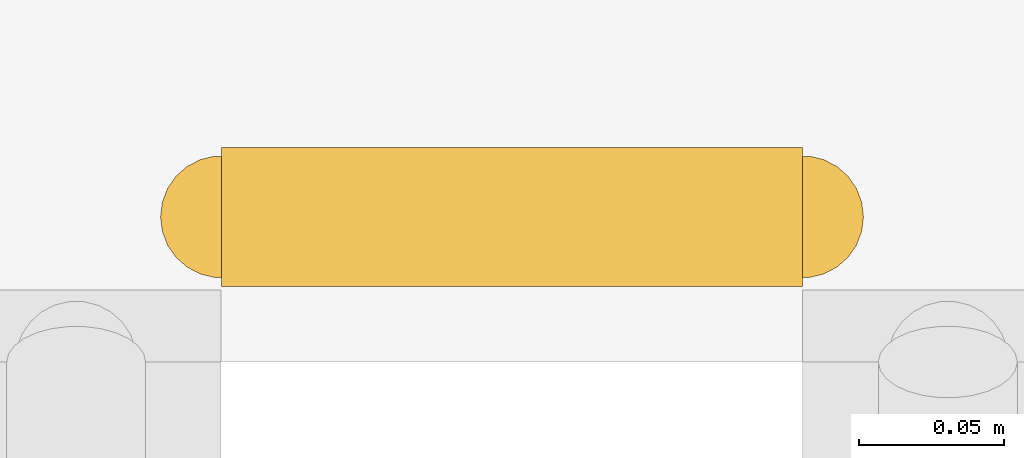
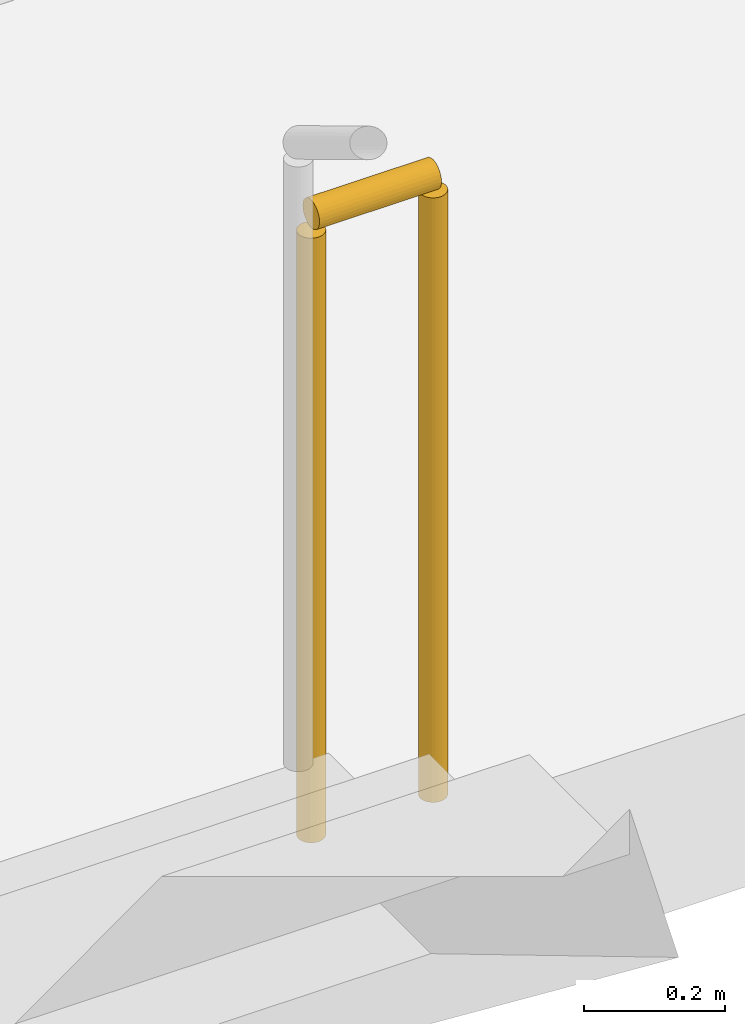
# One storey, part 82 of 100: 1 railing.
"""IFC4 building model written with IfcOpenShell, lengths in metres."""

from ifc_helpers import new_model, si_unit, direction, frame, origin, origin_2d, place, context, subcontext, project, spatial, circle, extrude, material, type_object, element, save


model = new_model("IFC4")

# Units and contexts
model_context = context("Model", 3, precision=1e-05, world=origin(), true_north=direction((0.0, 1.0)))
body_context = subcontext(model_context, "Body", "Model", "MODEL_VIEW")
ifc_project = project(units=[si_unit("LENGTHUNIT", "METRE"), si_unit("AREAUNIT", "SQUARE_METRE"), si_unit("VOLUMEUNIT", "CUBIC_METRE"), si_unit("PLANEANGLEUNIT", "RADIAN"), si_unit("MASSUNIT", "GRAM", prefix="KILO")], contexts=[model_context])

# Site, building, storey
site_placement = place(None, origin())
site = spatial("IfcSite", under=ifc_project, at=site_placement, CompositionType="ELEMENT")
building_placement = place(site_placement, origin())
building = spatial("IfcBuilding", under=site, at=building_placement, Name="Caelomonte Colonnade Arena", CompositionType="ELEMENT")
storey_placement = place(building_placement, origin())
storey = spatial("IfcBuildingStorey", under=building, at=storey_placement, Name="L00", CompositionType="ELEMENT", Elevation=0.0)

# Railing
ifc_material = material(Name="Painted galvanized steel stair guard", Category="steel")
railing_type = type_object("IfcRailingType", Name="INT-RL-GRD", PredefinedType="GUARDRAIL", material=ifc_material)
railing_placement = place(storey_placement, frame((62.050048828125, 64.550048828125, 0.0)))
element("IfcRailing", 1, at=railing_placement, inside=storey, type_object=railing_type, Name="L00 ST-09 stair guard 4", PredefinedType="GUARDRAIL", context=body_context, shape_type="SweptSolid", body=[
    extrude(circle(Radius=0.02392578125, at=origin_2d()), frame((0.0, 0.0, 1.076171875), z_axis=(1.0, 0.0, 0.0), x_axis=(0.0, 1.0, 0.0)), (0.0, 0.0, 1.0), 0.199951171875),
    extrude(circle(Radius=0.02099609375, at=origin_2d()), origin(), (0.0, 0.0, 1.0), 1.048095703125),
    extrude(circle(Radius=0.02099609375, at=origin_2d()), frame((0.199951171875, 0.0, 0.0)), (0.0, 0.0, 1.0), 1.048095703125),
])

save(model, "model.ifc")
